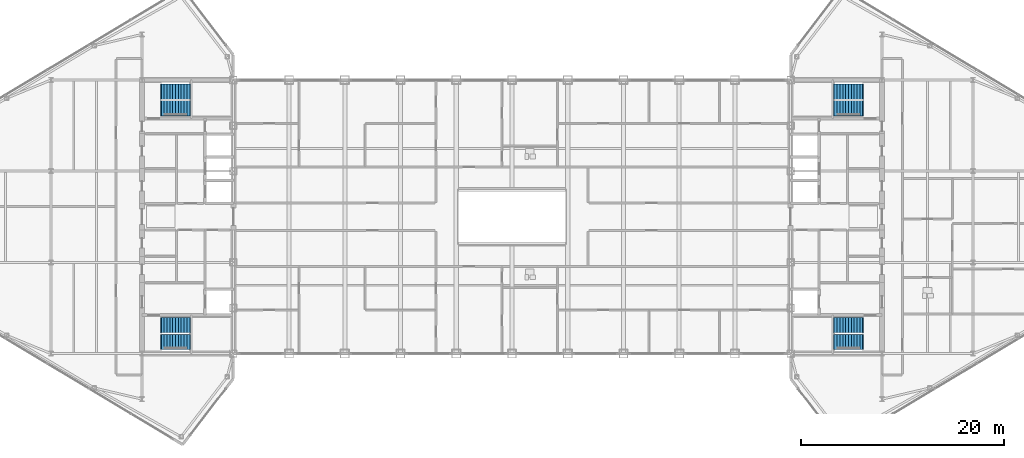
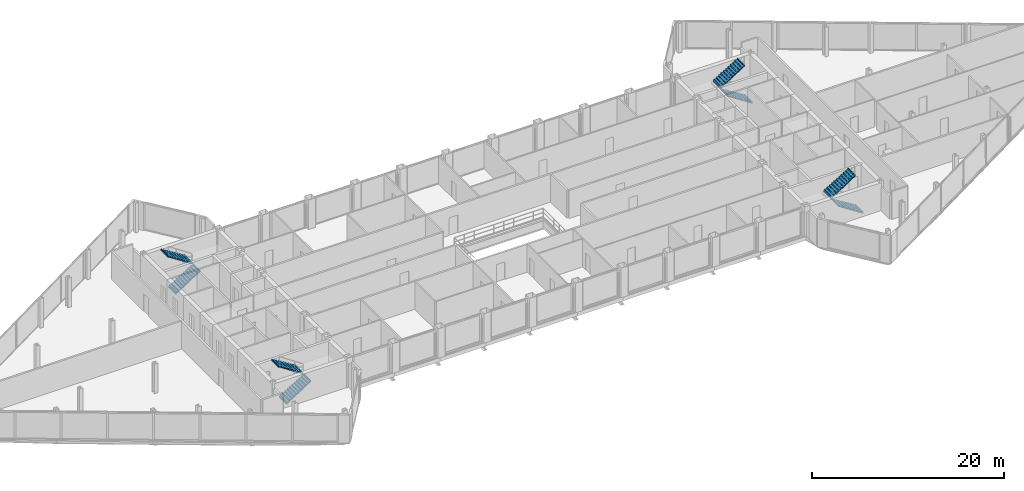
# One storey, part 27 of 29: 8 stair flights, 4 elements without a shape of their own.
"""IFC4 building model written with IfcOpenShell, lengths in metres."""

import ifcopenshell
import ifcopenshell.guid

model = None  # the IFC model being written
_history = None  # IfcOwnerHistory: only IFC2X3 demands one
_inside = {}  # id of a spatial element -> (the spatial element, [elements in it])
_under = {}  # id of a project, library or spatial element -> (it, [spatial elements below it])
_declared = {}  # id of a project -> (the project, [libraries it declares])
_typed = {}  # id of a type object -> (the type object, [elements of that type])
_made_of = {}  # id of a material, layer set ... -> (it, [elements and type objects made of it])


def new_model(schema):
    """Start an empty IFC model of exactly this schema.

    Asked for "IFC4X3", IfcOpenShell would pick the latest addendum, in which some entities
    have other attributes; the version numbers below select the first issue.
    IFC2X3 requires an IfcOwnerHistory on every rooted entity: one is made here for all.
    """
    global model, _history
    if schema == "IFC4X3":
        model = ifcopenshell.file(schema_version=(4, 3, 0, 0))
    else:
        model = ifcopenshell.file(schema=schema)
    _inside.clear()
    _under.clear()
    _declared.clear()
    _typed.clear()
    _made_of.clear()
    _history = None
    if model.schema == "IFC2X3":
        org = make("IfcOrganization", Name="unknown")
        user = make(
            "IfcPersonAndOrganization",
            ThePerson=make("IfcPerson", FamilyName="unknown"),
            TheOrganization=org,
        )
        app = make(
            "IfcApplication",
            ApplicationDeveloper=org,
            Version="unknown",
            ApplicationFullName="unknown",
            ApplicationIdentifier="unknown",
        )
        _history = make(
            "IfcOwnerHistory",
            OwningUser=user,
            OwningApplication=app,
            ChangeAction="ADDED",
            CreationDate=0,
        )
    return model


def make(cls, **values):
    """One entity of the class cls with the attributes given. An attribute that is None is left unset."""
    return model.create_entity(
        cls, **{name: value for name, value in values.items() if value is not None}
    )


def rooted(cls, **values):
    """An entity with a GlobalId (a new one), such as an element, a storey or a relation."""
    return make(cls, GlobalId=ifcopenshell.guid.new(), OwnerHistory=_history, **values)


def si_unit(unit_type, name, prefix=None):
    """IfcSIUnit, for example si_unit("LENGTHUNIT", "METRE", prefix="MILLI")."""
    return make("IfcSIUnit", UnitType=unit_type, Prefix=prefix, Name=name)


def assignment(units):
    """IfcUnitAssignment: the units of a project."""
    return None if units is None else make("IfcUnitAssignment", Units=units)


def point(xyz):
    """IfcCartesianPoint."""
    return None if xyz is None else make("IfcCartesianPoint", Coordinates=xyz)


def direction(xyz):
    """IfcDirection."""
    return None if xyz is None else make("IfcDirection", DirectionRatios=xyz)


def frame(location, z_axis=None, x_axis=None):
    """IfcAxis2Placement3D, a coordinate frame: its origin and axes. An axis left out is left unset."""
    return make(
        "IfcAxis2Placement3D",
        Location=point(location),
        Axis=direction(z_axis),
        RefDirection=direction(x_axis),
    )


def origin():
    """The frame at (0, 0, 0) with its axes left unset."""
    return frame((0.0, 0.0, 0.0))


def place(relative_to, where):
    """IfcLocalPlacement: puts the frame where relative to a parent placement (None: the world)."""
    return make(
        "IfcLocalPlacement", PlacementRelTo=relative_to, RelativePlacement=where
    )


def context(
    kind, dimensions, precision=None, world=None, true_north=None, identifier=None
):
    """IfcGeometricRepresentationContext, for example the 3D "Model" context."""
    return make(
        "IfcGeometricRepresentationContext",
        ContextIdentifier=identifier,
        ContextType=kind,
        CoordinateSpaceDimension=dimensions,
        Precision=precision,
        WorldCoordinateSystem=world,
        TrueNorth=true_north,
    )


def subcontext(parent, identifier, kind, view, scale=None):
    """IfcGeometricRepresentationSubContext, for example "Body" below "Model"."""
    return make(
        "IfcGeometricRepresentationSubContext",
        ContextIdentifier=identifier,
        ContextType=kind,
        ParentContext=parent,
        TargetScale=scale,
        TargetView=view,
    )


def project(units=None, contexts=None):
    """IfcProject with its units and contexts."""
    return rooted(
        "IfcProject",
        Name="project",
        RepresentationContexts=contexts,
        UnitsInContext=assignment(units),
    )


def spatial(cls, under=None, at=None, **own):
    """A site, building, storey or space (cls), placed at a placement, below another one or the project."""
    s = rooted(cls, ObjectPlacement=at, **own)
    if under is not None:
        _under.setdefault(under.id(), (under, []))[1].append(s)
    return s


def polyline(points):
    """IfcPolyline through the points."""
    return make("IfcPolyline", Points=[point(p) for p in points])


def outline(outer, holes=None, kind="AREA"):
    """IfcArbitraryClosedProfileDef: a profile drawn as a closed curve; with holes, ...WithVoids."""
    if holes is None:
        return make("IfcArbitraryClosedProfileDef", ProfileType=kind, OuterCurve=outer)
    return make(
        "IfcArbitraryProfileDefWithVoids",
        ProfileType=kind,
        OuterCurve=outer,
        InnerCurves=holes,
    )


def extrude(swept, where, along, depth):
    """IfcExtrudedAreaSolid: the profile swept, set in the frame where, extruded along a direction by depth."""
    return make(
        "IfcExtrudedAreaSolid",
        SweptArea=swept,
        Position=where,
        ExtrudedDirection=direction(along),
        Depth=depth,
    )


def shape(context_of_items, identifier, shape_type, items):
    """IfcShapeRepresentation: the items that make up one representation, for example the "Body"."""
    return make(
        "IfcShapeRepresentation",
        ContextOfItems=context_of_items,
        RepresentationIdentifier=identifier,
        RepresentationType=shape_type,
        Items=items,
    )


def material(Name=None, Category=None):
    """IfcMaterial."""
    return make("IfcMaterial", Name=Name, Category=Category)


def made_of(thing, what):
    """Note that an element or type object is made of a material, layer set ...; save() writes the relation."""
    if what is not None:
        _made_of.setdefault(what.id(), (what, []))[1].append(thing)
    return thing


def type_object(cls, material=None, **own):
    """A type object (cls), such as IfcWallType, which elements share."""
    return made_of(rooted(cls, **own), material)


def element(
    cls,
    number,
    at=None,
    inside=None,
    cuts=None,
    type_object=None,
    material=None,
    context=None,
    identifier="Body",
    shape_type=None,
    held_by="IfcProductDefinitionShape",
    body=None,
    shapes=None,
    **own,
):
    """One element of the class cls, such as IfcWall. Its Tag is "e" and its number.

    at: its placement. inside: the storey or other place that contains it. cuts: it is an
    opening in that element (IfcRelVoidsElement). A single representation is given by context,
    identifier, shape_type and body (its items); several are given by shapes. held_by: the class
    of the entity that holds the representations. save() writes the other relations.
    """
    e = rooted(cls, Tag="e%d" % number, ObjectPlacement=at, **own)
    if body is not None:
        shapes = [shape(context, identifier, shape_type, body)]
    if shapes is not None:
        e.Representation = make(held_by, Representations=shapes)
    if inside is not None:
        _inside.setdefault(inside.id(), (inside, []))[1].append(e)
    if cuts is not None:
        rooted(
            "IfcRelVoidsElement", RelatingBuildingElement=cuts, RelatedOpeningElement=e
        )
    if type_object is not None:
        _typed.setdefault(type_object.id(), (type_object, []))[1].append(e)
    return made_of(e, material)


def aggregate(whole, parts):
    """IfcRelAggregates: a whole, such as a stair, and the parts it consists of."""
    return rooted("IfcRelAggregates", RelatingObject=whole, RelatedObjects=parts)


def save(model, path):
    """Write the relations noted so far, then the file.

    IfcRelAggregates (storeys below a building ...), IfcRelContainedInSpatialStructure (elements
    in a storey), IfcRelDefinesByType, IfcRelAssociatesMaterial and IfcRelDeclares: one each for
    every whole, place, type object, material and project.
    """
    for whole, parts in _under.values():
        aggregate(whole, parts)
    for where, things in _inside.values():
        rooted(
            "IfcRelContainedInSpatialStructure",
            RelatedElements=things,
            RelatingStructure=where,
        )
    for kind, things in _typed.values():
        rooted("IfcRelDefinesByType", RelatedObjects=things, RelatingType=kind)
    for what, things in _made_of.values():
        rooted("IfcRelAssociatesMaterial", RelatedObjects=things, RelatingMaterial=what)
    for by, libraries in _declared.values():
        rooted("IfcRelDeclares", RelatingContext=by, RelatedDefinitions=libraries)
    model.write(path)


model = new_model("IFC4")

# Units and contexts
model_context = context("Model", 3, precision=1e-05, world=origin(), true_north=direction((0.0, 1.0)))
body_context = subcontext(model_context, "Body", "Model", "MODEL_VIEW")
ifc_project = project(units=[si_unit("LENGTHUNIT", "METRE"), si_unit("AREAUNIT", "SQUARE_METRE"), si_unit("VOLUMEUNIT", "CUBIC_METRE"), si_unit("PLANEANGLEUNIT", "RADIAN"), si_unit("MASSUNIT", "GRAM", prefix="KILO")], contexts=[model_context])

# Site, building, storey
site_placement = place(None, origin())
site = spatial("IfcSite", under=ifc_project, at=site_placement, CompositionType="ELEMENT")
building_placement = place(site_placement, origin())
building = spatial("IfcBuilding", under=site, at=building_placement, Name="Seokmaru Belvedere", CompositionType="ELEMENT")
storey_placement = place(building_placement, frame((0.0, 0.0, 258.14990234375)))
storey = spatial("IfcBuildingStorey", under=building, at=storey_placement, Name="L68", CompositionType="ELEMENT", Elevation=258.14990234375)

# Stair, stair flights
ifc_material = material(Name="Concrete C40 (40 MPa)", Category="concrete")
stair_type = type_object("IfcStairType", Name="Sky-Gate Residential Core Dog-Leg Stair 3750", PredefinedType="TWO_STRAIGHT_RUN_STAIR", material=ifc_material)
stair_1_placement = place(storey_placement, origin())
stair_1 = element("IfcStair", 1, at=stair_1_placement, inside=storey, type_object=stair_type, Name="L68 Special Escape Stair ST-W1", PredefinedType="TWO_STRAIGHT_RUN_STAIR")
stair_flight_type = type_object("IfcStairFlightType", Name="Reinforced Concrete Stair Flight 1500", PredefinedType="STRAIGHT", material=ifc_material)
stair_flight_1_placement = place(storey_placement, frame((-34.60009765625, -12.35009765625, 0.0), z_axis=(0.0, 0.0, 1.0), x_axis=(1.0, 0.0, 0.0)))
stair_flight_1 = element("IfcStairFlight", 2, at=stair_flight_1_placement, type_object=stair_flight_type, Name="ST-W1 flight 1", NumberOfRisers=11, NumberOfTreads=10, PredefinedType="STRAIGHT", RiserHeight=0.170454545, TreadLength=0.28, context=body_context, shape_type="SweptSolid", body=[
    extrude(outline(polyline([(-0.080078125, 0.0), (0.0, 0.17041015625), (0.280029296875, 0.17041015625), (0.280029296875, 0.3408203125), (0.56005859375, 0.3408203125), (0.56005859375, 0.511474609375), (0.840087890625, 0.511474609375), (0.840087890625, 0.681884765625), (1.1201171875, 0.681884765625), (1.1201171875, 0.852294921875), (1.39990234375, 0.852294921875), (1.39990234375, 1.022705078125), (1.679931640625, 1.022705078125), (1.679931640625, 1.193115234375), (1.9599609375, 1.193115234375), (1.9599609375, 1.363525390625), (2.239990234375, 1.363525390625), (2.239990234375, 1.5341796875), (2.52001953125, 1.5341796875), (2.52001953125, 1.70458984375), (2.800048828125, 1.70458984375), (2.800048828125, 1.875), (2.8798828125, 1.875), (2.8798828125, 1.68505859375), (2.800048828125, 1.68505859375), (0.0, -0.159912109375), (-0.080078125, -0.159912109375), (-0.080078125, 0.0)])), frame((0.0, 0.75, 0.0), z_axis=(0.0, -1.0, 0.0), x_axis=(1.0, 0.0, 0.0)), (0.0, 0.0, 1.0), 1.5),
])
stair_flight_2_placement = place(storey_placement, frame((-31.800048828125, -10.7099609375, 1.875), z_axis=(0.0, 0.0, 1.0), x_axis=(-1.0, 0.0, 0.0)))
stair_flight_2 = element("IfcStairFlight", 3, at=stair_flight_2_placement, type_object=stair_flight_type, Name="ST-W1 flight 2", NumberOfRisers=11, NumberOfTreads=10, PredefinedType="STRAIGHT", RiserHeight=0.170454545, TreadLength=0.28, context=body_context, shape_type="SweptSolid", body=[
    extrude(outline(polyline([(-0.080078125, 0.0), (0.0, 0.17041015625), (0.280029296875, 0.17041015625), (0.280029296875, 0.3408203125), (0.56005859375, 0.3408203125), (0.56005859375, 0.511474609375), (0.840087890625, 0.511474609375), (0.840087890625, 0.681884765625), (1.1201171875, 0.681884765625), (1.1201171875, 0.852294921875), (1.39990234375, 0.852294921875), (1.39990234375, 1.022705078125), (1.679931640625, 1.022705078125), (1.679931640625, 1.193115234375), (1.9599609375, 1.193115234375), (1.9599609375, 1.363525390625), (2.239990234375, 1.363525390625), (2.239990234375, 1.5341796875), (2.52001953125, 1.5341796875), (2.52001953125, 1.70458984375), (2.800048828125, 1.70458984375), (2.800048828125, 1.875), (2.8798828125, 1.875), (2.8798828125, 1.68505859375), (2.800048828125, 1.68505859375), (0.0, -0.159912109375), (-0.080078125, -0.159912109375), (-0.080078125, 0.0)])), frame((0.0, 0.75, 0.0), z_axis=(0.0, -1.0, 0.0), x_axis=(1.0, 0.0, 0.0)), (0.0, 0.0, 1.0), 1.5),
])
aggregate(stair_1, [stair_flight_1, stair_flight_2])

stair_2_placement = place(storey_placement, origin())
stair_2 = element("IfcStair", 4, at=stair_2_placement, inside=storey, type_object=stair_type, Name="L68 Special Escape Stair ST-W2", PredefinedType="TWO_STRAIGHT_RUN_STAIR")
stair_flight_3_placement = place(storey_placement, frame((-34.60009765625, 10.7099609375, 0.0), z_axis=(0.0, 0.0, 1.0), x_axis=(1.0, 0.0, 0.0)))
stair_flight_3 = element("IfcStairFlight", 5, at=stair_flight_3_placement, type_object=stair_flight_type, Name="ST-W2 flight 1", NumberOfRisers=11, NumberOfTreads=10, PredefinedType="STRAIGHT", RiserHeight=0.170454545, TreadLength=0.28, context=body_context, shape_type="SweptSolid", body=[
    extrude(outline(polyline([(-0.080078125, 0.0), (0.0, 0.17041015625), (0.280029296875, 0.17041015625), (0.280029296875, 0.3408203125), (0.56005859375, 0.3408203125), (0.56005859375, 0.511474609375), (0.840087890625, 0.511474609375), (0.840087890625, 0.681884765625), (1.1201171875, 0.681884765625), (1.1201171875, 0.852294921875), (1.39990234375, 0.852294921875), (1.39990234375, 1.022705078125), (1.679931640625, 1.022705078125), (1.679931640625, 1.193115234375), (1.9599609375, 1.193115234375), (1.9599609375, 1.363525390625), (2.239990234375, 1.363525390625), (2.239990234375, 1.5341796875), (2.52001953125, 1.5341796875), (2.52001953125, 1.70458984375), (2.800048828125, 1.70458984375), (2.800048828125, 1.875), (2.8798828125, 1.875), (2.8798828125, 1.68505859375), (2.800048828125, 1.68505859375), (0.0, -0.159912109375), (-0.080078125, -0.159912109375), (-0.080078125, 0.0)])), frame((0.0, 0.75, 0.0), z_axis=(0.0, -1.0, 0.0), x_axis=(1.0, 0.0, 0.0)), (0.0, 0.0, 1.0), 1.5),
])
stair_flight_4_placement = place(storey_placement, frame((-31.800048828125, 12.35009765625, 1.875), z_axis=(0.0, 0.0, 1.0), x_axis=(-1.0, 0.0, 0.0)))
stair_flight_4 = element("IfcStairFlight", 6, at=stair_flight_4_placement, type_object=stair_flight_type, Name="ST-W2 flight 2", NumberOfRisers=11, NumberOfTreads=10, PredefinedType="STRAIGHT", RiserHeight=0.170454545, TreadLength=0.28, context=body_context, shape_type="SweptSolid", body=[
    extrude(outline(polyline([(-0.080078125, 0.0), (0.0, 0.17041015625), (0.280029296875, 0.17041015625), (0.280029296875, 0.3408203125), (0.56005859375, 0.3408203125), (0.56005859375, 0.511474609375), (0.840087890625, 0.511474609375), (0.840087890625, 0.681884765625), (1.1201171875, 0.681884765625), (1.1201171875, 0.852294921875), (1.39990234375, 0.852294921875), (1.39990234375, 1.022705078125), (1.679931640625, 1.022705078125), (1.679931640625, 1.193115234375), (1.9599609375, 1.193115234375), (1.9599609375, 1.363525390625), (2.239990234375, 1.363525390625), (2.239990234375, 1.5341796875), (2.52001953125, 1.5341796875), (2.52001953125, 1.70458984375), (2.800048828125, 1.70458984375), (2.800048828125, 1.875), (2.8798828125, 1.875), (2.8798828125, 1.68505859375), (2.800048828125, 1.68505859375), (0.0, -0.159912109375), (-0.080078125, -0.159912109375), (-0.080078125, 0.0)])), frame((0.0, 0.75, 0.0), z_axis=(0.0, -1.0, 0.0), x_axis=(1.0, 0.0, 0.0)), (0.0, 0.0, 1.0), 1.5),
])
aggregate(stair_2, [stair_flight_3, stair_flight_4])

stair_3_placement = place(storey_placement, origin())
stair_3 = element("IfcStair", 7, at=stair_3_placement, inside=storey, type_object=stair_type, Name="L68 Special Escape Stair ST-E1", PredefinedType="TWO_STRAIGHT_RUN_STAIR")
stair_flight_5_placement = place(storey_placement, frame((34.60009765625, -12.35009765625, 0.0), z_axis=(0.0, 0.0, 1.0), x_axis=(-1.0, 0.0, 0.0)))
stair_flight_5 = element("IfcStairFlight", 8, at=stair_flight_5_placement, type_object=stair_flight_type, Name="ST-E1 flight 1", NumberOfRisers=11, NumberOfTreads=10, PredefinedType="STRAIGHT", RiserHeight=0.170454545, TreadLength=0.28, context=body_context, shape_type="SweptSolid", body=[
    extrude(outline(polyline([(-0.080078125, 0.0), (0.0, 0.17041015625), (0.280029296875, 0.17041015625), (0.280029296875, 0.3408203125), (0.56005859375, 0.3408203125), (0.56005859375, 0.511474609375), (0.840087890625, 0.511474609375), (0.840087890625, 0.681884765625), (1.1201171875, 0.681884765625), (1.1201171875, 0.852294921875), (1.39990234375, 0.852294921875), (1.39990234375, 1.022705078125), (1.679931640625, 1.022705078125), (1.679931640625, 1.193115234375), (1.9599609375, 1.193115234375), (1.9599609375, 1.363525390625), (2.239990234375, 1.363525390625), (2.239990234375, 1.5341796875), (2.52001953125, 1.5341796875), (2.52001953125, 1.70458984375), (2.800048828125, 1.70458984375), (2.800048828125, 1.875), (2.8798828125, 1.875), (2.8798828125, 1.68505859375), (2.800048828125, 1.68505859375), (0.0, -0.159912109375), (-0.080078125, -0.159912109375), (-0.080078125, 0.0)])), frame((0.0, 0.75, 0.0), z_axis=(0.0, -1.0, 0.0), x_axis=(1.0, 0.0, 0.0)), (0.0, 0.0, 1.0), 1.5),
])
stair_flight_6_placement = place(storey_placement, frame((31.800048828125, -10.7099609375, 1.875), z_axis=(0.0, 0.0, 1.0), x_axis=(1.0, 0.0, 0.0)))
stair_flight_6 = element("IfcStairFlight", 9, at=stair_flight_6_placement, type_object=stair_flight_type, Name="ST-E1 flight 2", NumberOfRisers=11, NumberOfTreads=10, PredefinedType="STRAIGHT", RiserHeight=0.170454545, TreadLength=0.28, context=body_context, shape_type="SweptSolid", body=[
    extrude(outline(polyline([(-0.080078125, 0.0), (0.0, 0.17041015625), (0.280029296875, 0.17041015625), (0.280029296875, 0.3408203125), (0.56005859375, 0.3408203125), (0.56005859375, 0.511474609375), (0.840087890625, 0.511474609375), (0.840087890625, 0.681884765625), (1.1201171875, 0.681884765625), (1.1201171875, 0.852294921875), (1.39990234375, 0.852294921875), (1.39990234375, 1.022705078125), (1.679931640625, 1.022705078125), (1.679931640625, 1.193115234375), (1.9599609375, 1.193115234375), (1.9599609375, 1.363525390625), (2.239990234375, 1.363525390625), (2.239990234375, 1.5341796875), (2.52001953125, 1.5341796875), (2.52001953125, 1.70458984375), (2.800048828125, 1.70458984375), (2.800048828125, 1.875), (2.8798828125, 1.875), (2.8798828125, 1.68505859375), (2.800048828125, 1.68505859375), (0.0, -0.159912109375), (-0.080078125, -0.159912109375), (-0.080078125, 0.0)])), frame((0.0, 0.75, 0.0), z_axis=(0.0, -1.0, 0.0), x_axis=(1.0, 0.0, 0.0)), (0.0, 0.0, 1.0), 1.5),
])
aggregate(stair_3, [stair_flight_5, stair_flight_6])

stair_4_placement = place(storey_placement, origin())
stair_4 = element("IfcStair", 10, at=stair_4_placement, inside=storey, type_object=stair_type, Name="L68 Special Escape Stair ST-E2", PredefinedType="TWO_STRAIGHT_RUN_STAIR")
stair_flight_7_placement = place(storey_placement, frame((34.60009765625, 10.7099609375, 0.0), z_axis=(0.0, 0.0, 1.0), x_axis=(-1.0, 0.0, 0.0)))
stair_flight_7 = element("IfcStairFlight", 11, at=stair_flight_7_placement, type_object=stair_flight_type, Name="ST-E2 flight 1", NumberOfRisers=11, NumberOfTreads=10, PredefinedType="STRAIGHT", RiserHeight=0.170454545, TreadLength=0.28, context=body_context, shape_type="SweptSolid", body=[
    extrude(outline(polyline([(-0.080078125, 0.0), (0.0, 0.17041015625), (0.280029296875, 0.17041015625), (0.280029296875, 0.3408203125), (0.56005859375, 0.3408203125), (0.56005859375, 0.511474609375), (0.840087890625, 0.511474609375), (0.840087890625, 0.681884765625), (1.1201171875, 0.681884765625), (1.1201171875, 0.852294921875), (1.39990234375, 0.852294921875), (1.39990234375, 1.022705078125), (1.679931640625, 1.022705078125), (1.679931640625, 1.193115234375), (1.9599609375, 1.193115234375), (1.9599609375, 1.363525390625), (2.239990234375, 1.363525390625), (2.239990234375, 1.5341796875), (2.52001953125, 1.5341796875), (2.52001953125, 1.70458984375), (2.800048828125, 1.70458984375), (2.800048828125, 1.875), (2.8798828125, 1.875), (2.8798828125, 1.68505859375), (2.800048828125, 1.68505859375), (0.0, -0.159912109375), (-0.080078125, -0.159912109375), (-0.080078125, 0.0)])), frame((0.0, 0.75, 0.0), z_axis=(0.0, -1.0, 0.0), x_axis=(1.0, 0.0, 0.0)), (0.0, 0.0, 1.0), 1.5),
])
stair_flight_8_placement = place(storey_placement, frame((31.800048828125, 12.35009765625, 1.875), z_axis=(0.0, 0.0, 1.0), x_axis=(1.0, 0.0, 0.0)))
stair_flight_8 = element("IfcStairFlight", 12, at=stair_flight_8_placement, type_object=stair_flight_type, Name="ST-E2 flight 2", NumberOfRisers=11, NumberOfTreads=10, PredefinedType="STRAIGHT", RiserHeight=0.170454545, TreadLength=0.28, context=body_context, shape_type="SweptSolid", body=[
    extrude(outline(polyline([(-0.080078125, 0.0), (0.0, 0.17041015625), (0.280029296875, 0.17041015625), (0.280029296875, 0.3408203125), (0.56005859375, 0.3408203125), (0.56005859375, 0.511474609375), (0.840087890625, 0.511474609375), (0.840087890625, 0.681884765625), (1.1201171875, 0.681884765625), (1.1201171875, 0.852294921875), (1.39990234375, 0.852294921875), (1.39990234375, 1.022705078125), (1.679931640625, 1.022705078125), (1.679931640625, 1.193115234375), (1.9599609375, 1.193115234375), (1.9599609375, 1.363525390625), (2.239990234375, 1.363525390625), (2.239990234375, 1.5341796875), (2.52001953125, 1.5341796875), (2.52001953125, 1.70458984375), (2.800048828125, 1.70458984375), (2.800048828125, 1.875), (2.8798828125, 1.875), (2.8798828125, 1.68505859375), (2.800048828125, 1.68505859375), (0.0, -0.159912109375), (-0.080078125, -0.159912109375), (-0.080078125, 0.0)])), frame((0.0, 0.75, 0.0), z_axis=(0.0, -1.0, 0.0), x_axis=(1.0, 0.0, 0.0)), (0.0, 0.0, 1.0), 1.5),
])
aggregate(stair_4, [stair_flight_7, stair_flight_8])

save(model, "model.ifc")
